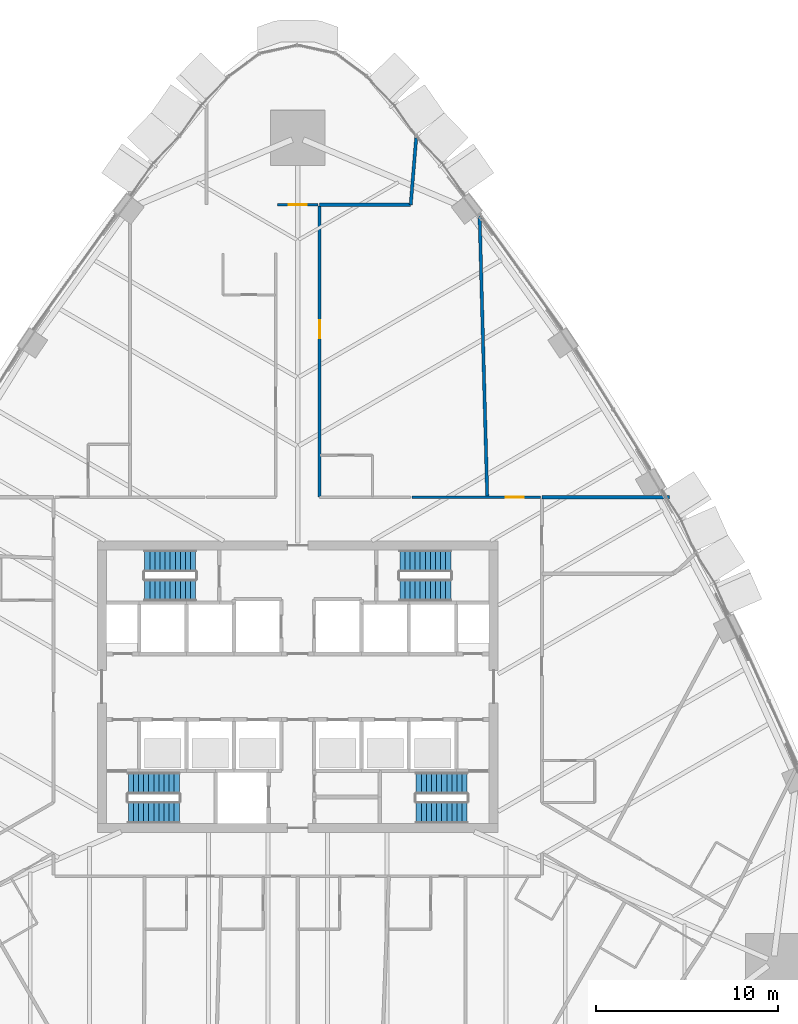
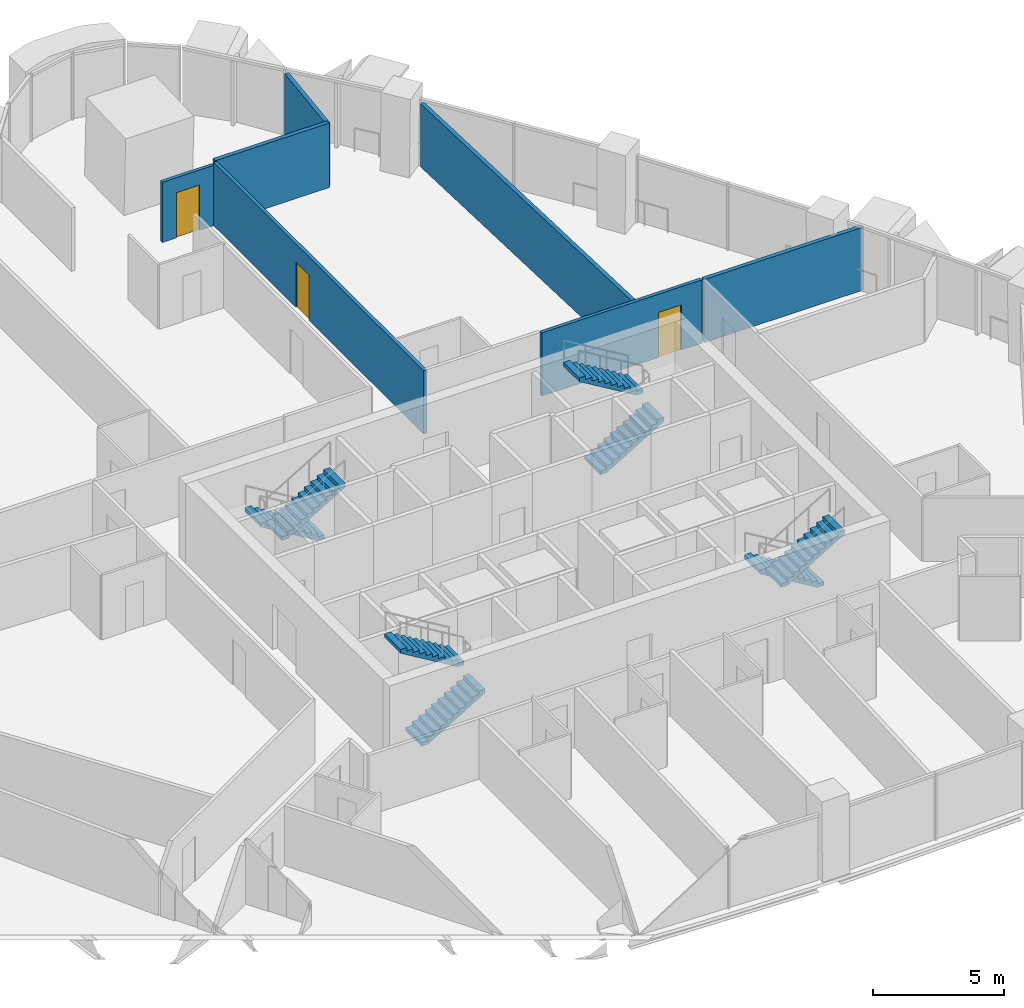
# One storey, part 14 of 18: 8 stair flights, 7 walls, 3 doors, 3 openings, 4 elements without a shape of their own.
"""IFC4 building model written with IfcOpenShell, lengths in metres."""

import ifcopenshell
import ifcopenshell.guid

model = None  # the IFC model being written
_history = None  # IfcOwnerHistory: only IFC2X3 demands one
_inside = {}  # id of a spatial element -> (the spatial element, [elements in it])
_under = {}  # id of a project, library or spatial element -> (it, [spatial elements below it])
_declared = {}  # id of a project -> (the project, [libraries it declares])
_typed = {}  # id of a type object -> (the type object, [elements of that type])
_made_of = {}  # id of a material, layer set ... -> (it, [elements and type objects made of it])


def new_model(schema):
    """Start an empty IFC model of exactly this schema.

    Asked for "IFC4X3", IfcOpenShell would pick the latest addendum, in which some entities
    have other attributes; the version numbers below select the first issue.
    IFC2X3 requires an IfcOwnerHistory on every rooted entity: one is made here for all.
    """
    global model, _history
    if schema == "IFC4X3":
        model = ifcopenshell.file(schema_version=(4, 3, 0, 0))
    else:
        model = ifcopenshell.file(schema=schema)
    _inside.clear()
    _under.clear()
    _declared.clear()
    _typed.clear()
    _made_of.clear()
    _history = None
    if model.schema == "IFC2X3":
        org = make("IfcOrganization", Name="unknown")
        user = make(
            "IfcPersonAndOrganization",
            ThePerson=make("IfcPerson", FamilyName="unknown"),
            TheOrganization=org,
        )
        app = make(
            "IfcApplication",
            ApplicationDeveloper=org,
            Version="unknown",
            ApplicationFullName="unknown",
            ApplicationIdentifier="unknown",
        )
        _history = make(
            "IfcOwnerHistory",
            OwningUser=user,
            OwningApplication=app,
            ChangeAction="ADDED",
            CreationDate=0,
        )
    return model


def make(cls, **values):
    """One entity of the class cls with the attributes given. An attribute that is None is left unset."""
    return model.create_entity(
        cls, **{name: value for name, value in values.items() if value is not None}
    )


def rooted(cls, **values):
    """An entity with a GlobalId (a new one), such as an element, a storey or a relation."""
    return make(cls, GlobalId=ifcopenshell.guid.new(), OwnerHistory=_history, **values)


def si_unit(unit_type, name, prefix=None):
    """IfcSIUnit, for example si_unit("LENGTHUNIT", "METRE", prefix="MILLI")."""
    return make("IfcSIUnit", UnitType=unit_type, Prefix=prefix, Name=name)


def assignment(units):
    """IfcUnitAssignment: the units of a project."""
    return None if units is None else make("IfcUnitAssignment", Units=units)


def point(xyz):
    """IfcCartesianPoint."""
    return None if xyz is None else make("IfcCartesianPoint", Coordinates=xyz)


def direction(xyz):
    """IfcDirection."""
    return None if xyz is None else make("IfcDirection", DirectionRatios=xyz)


def frame(location, z_axis=None, x_axis=None):
    """IfcAxis2Placement3D, a coordinate frame: its origin and axes. An axis left out is left unset."""
    return make(
        "IfcAxis2Placement3D",
        Location=point(location),
        Axis=direction(z_axis),
        RefDirection=direction(x_axis),
    )


def frame_2d(location, x_axis=None):
    """IfcAxis2Placement2D, a coordinate frame in the plane: its origin and x axis."""
    return make(
        "IfcAxis2Placement2D", Location=point(location), RefDirection=direction(x_axis)
    )


def origin():
    """The frame at (0, 0, 0) with its axes left unset."""
    return frame((0.0, 0.0, 0.0))


def place(relative_to, where):
    """IfcLocalPlacement: puts the frame where relative to a parent placement (None: the world)."""
    return make(
        "IfcLocalPlacement", PlacementRelTo=relative_to, RelativePlacement=where
    )


def context(
    kind, dimensions, precision=None, world=None, true_north=None, identifier=None
):
    """IfcGeometricRepresentationContext, for example the 3D "Model" context."""
    return make(
        "IfcGeometricRepresentationContext",
        ContextIdentifier=identifier,
        ContextType=kind,
        CoordinateSpaceDimension=dimensions,
        Precision=precision,
        WorldCoordinateSystem=world,
        TrueNorth=true_north,
    )


def subcontext(parent, identifier, kind, view, scale=None):
    """IfcGeometricRepresentationSubContext, for example "Body" below "Model"."""
    return make(
        "IfcGeometricRepresentationSubContext",
        ContextIdentifier=identifier,
        ContextType=kind,
        ParentContext=parent,
        TargetScale=scale,
        TargetView=view,
    )


def project(units=None, contexts=None):
    """IfcProject with its units and contexts."""
    return rooted(
        "IfcProject",
        Name="project",
        RepresentationContexts=contexts,
        UnitsInContext=assignment(units),
    )


def spatial(cls, under=None, at=None, **own):
    """A site, building, storey or space (cls), placed at a placement, below another one or the project."""
    s = rooted(cls, ObjectPlacement=at, **own)
    if under is not None:
        _under.setdefault(under.id(), (under, []))[1].append(s)
    return s


def polyline(points):
    """IfcPolyline through the points."""
    return make("IfcPolyline", Points=[point(p) for p in points])


def profile(cls, at=None, kind="AREA", **sizes):
    """A parametric profile (cls). Its sizes go by their IFC names, for example OverallWidth=200.0."""
    return make(cls, ProfileType=kind, Position=at, **sizes)


def rectangle(**sizes):
    """IfcRectangleProfileDef."""
    return profile("IfcRectangleProfileDef", **sizes)


def outline(outer, holes=None, kind="AREA"):
    """IfcArbitraryClosedProfileDef: a profile drawn as a closed curve; with holes, ...WithVoids."""
    if holes is None:
        return make("IfcArbitraryClosedProfileDef", ProfileType=kind, OuterCurve=outer)
    return make(
        "IfcArbitraryProfileDefWithVoids",
        ProfileType=kind,
        OuterCurve=outer,
        InnerCurves=holes,
    )


def extrude(swept, where, along, depth):
    """IfcExtrudedAreaSolid: the profile swept, set in the frame where, extruded along a direction by depth."""
    return make(
        "IfcExtrudedAreaSolid",
        SweptArea=swept,
        Position=where,
        ExtrudedDirection=direction(along),
        Depth=depth,
    )


def shape(context_of_items, identifier, shape_type, items):
    """IfcShapeRepresentation: the items that make up one representation, for example the "Body"."""
    return make(
        "IfcShapeRepresentation",
        ContextOfItems=context_of_items,
        RepresentationIdentifier=identifier,
        RepresentationType=shape_type,
        Items=items,
    )


def material(Name=None, Category=None):
    """IfcMaterial."""
    return make("IfcMaterial", Name=Name, Category=Category)


def layer(
    of_material, thickness, ventilated=None, Name=None, Category=None, Priority=None
):
    """IfcMaterialLayer: one layer of a wall or slab, of a material (None: an air gap)."""
    return make(
        "IfcMaterialLayer",
        Material=of_material,
        LayerThickness=thickness,
        IsVentilated=ventilated,
        Name=Name,
        Category=Category,
        Priority=Priority,
    )


def layer_set(layers, Name=None):
    """IfcMaterialLayerSet."""
    return make("IfcMaterialLayerSet", MaterialLayers=layers, LayerSetName=Name)


def made_of(thing, what):
    """Note that an element or type object is made of a material, layer set ...; save() writes the relation."""
    if what is not None:
        _made_of.setdefault(what.id(), (what, []))[1].append(thing)
    return thing


def type_object(cls, material=None, **own):
    """A type object (cls), such as IfcWallType, which elements share."""
    return made_of(rooted(cls, **own), material)


def element(
    cls,
    number,
    at=None,
    inside=None,
    cuts=None,
    type_object=None,
    material=None,
    context=None,
    identifier="Body",
    shape_type=None,
    held_by="IfcProductDefinitionShape",
    body=None,
    shapes=None,
    **own,
):
    """One element of the class cls, such as IfcWall. Its Tag is "e" and its number.

    at: its placement. inside: the storey or other place that contains it. cuts: it is an
    opening in that element (IfcRelVoidsElement). A single representation is given by context,
    identifier, shape_type and body (its items); several are given by shapes. held_by: the class
    of the entity that holds the representations. save() writes the other relations.
    """
    e = rooted(cls, Tag="e%d" % number, ObjectPlacement=at, **own)
    if body is not None:
        shapes = [shape(context, identifier, shape_type, body)]
    if shapes is not None:
        e.Representation = make(held_by, Representations=shapes)
    if inside is not None:
        _inside.setdefault(inside.id(), (inside, []))[1].append(e)
    if cuts is not None:
        rooted(
            "IfcRelVoidsElement", RelatingBuildingElement=cuts, RelatedOpeningElement=e
        )
    if type_object is not None:
        _typed.setdefault(type_object.id(), (type_object, []))[1].append(e)
    return made_of(e, material)


def fill(opening, filler):
    """IfcRelFillsElement: the door or window that sits in an opening."""
    return rooted(
        "IfcRelFillsElement",
        RelatingOpeningElement=opening,
        RelatedBuildingElement=filler,
    )


def aggregate(whole, parts):
    """IfcRelAggregates: a whole, such as a stair, and the parts it consists of."""
    return rooted("IfcRelAggregates", RelatingObject=whole, RelatedObjects=parts)


def save(model, path):
    """Write the relations noted so far, then the file.

    IfcRelAggregates (storeys below a building ...), IfcRelContainedInSpatialStructure (elements
    in a storey), IfcRelDefinesByType, IfcRelAssociatesMaterial and IfcRelDeclares: one each for
    every whole, place, type object, material and project.
    """
    for whole, parts in _under.values():
        aggregate(whole, parts)
    for where, things in _inside.values():
        rooted(
            "IfcRelContainedInSpatialStructure",
            RelatedElements=things,
            RelatingStructure=where,
        )
    for kind, things in _typed.values():
        rooted("IfcRelDefinesByType", RelatedObjects=things, RelatingType=kind)
    for what, things in _made_of.values():
        rooted("IfcRelAssociatesMaterial", RelatedObjects=things, RelatingMaterial=what)
    for by, libraries in _declared.values():
        rooted("IfcRelDeclares", RelatingContext=by, RelatedDefinitions=libraries)
    model.write(path)


model = new_model("IFC4")

# Units and contexts
model_context = context("Model", 3, precision=1e-05, world=origin(), true_north=direction((0.0, 1.0)))
body_context = subcontext(model_context, "Body", "Model", "MODEL_VIEW")
ifc_project = project(units=[si_unit("LENGTHUNIT", "METRE"), si_unit("AREAUNIT", "SQUARE_METRE"), si_unit("VOLUMEUNIT", "CUBIC_METRE"), si_unit("PLANEANGLEUNIT", "RADIAN"), si_unit("MASSUNIT", "GRAM", prefix="KILO")], contexts=[model_context])

# Site, building, storey
site_placement = place(None, origin())
site = spatial("IfcSite", under=ifc_project, at=site_placement, CompositionType="ELEMENT")
building_placement = place(site_placement, origin())
building = spatial("IfcBuilding", under=site, at=building_placement, Name="Sierra Prisma Convention Tower", CompositionType="ELEMENT")
storey_placement = place(building_placement, frame((0.0, 0.0, 85.0)))
storey = spatial("IfcBuildingStorey", under=building, at=storey_placement, Name="L17", CompositionType="ELEMENT", Elevation=85.0)

# Wall, opening, door
ifc_material_1 = material(Name="Gypsum board partition", Category="gypsum")
ifc_layer_1 = layer(ifc_material_1, 0.14990234375)
ifc_layer_set_1 = layer_set([ifc_layer_1], Name="Corridor wall 150 gypsum EI 60")
wall_type_1 = type_object("IfcWallType", Name="Corridor wall 150 gypsum EI 60", PredefinedType="PARTITIONING", material=ifc_layer_set_1)
wall_1_placement = place(storey_placement, frame((1.1201171875, 26.4501953125, 0.0), z_axis=(0.0, 0.0, 1.0), x_axis=(-1.0, 0.0, 0.0)))
wall_1 = element("IfcWall", 1, at=wall_1_placement, inside=storey, type_object=wall_type_1, Name="Partition L17 corr 10", PredefinedType="PARTITIONING", context=body_context, shape_type="SweptSolid", body=[
    extrude(rectangle(XDim=2.240234375, YDim=0.14990234375, at=frame_2d((1.1201171875, 0.0))), origin(), (0.0, 0.0, 1.0), 2.797119140625),
])
opening_1_placement = place(wall_1_placement, frame((0.6201171875, 0.0, 0.0)))
opening_1 = element("IfcOpeningElement", 2, at=opening_1_placement, cuts=wall_1, Name="Opening L17-D040", PredefinedType="OPENING", context=body_context, shape_type="SweptSolid", body=[
    extrude(rectangle(XDim=1.0, YDim=2.10009765625, at=frame_2d((0.5, 1.050048828125))), frame((0.0, 0.074951171875, 0.0), z_axis=(0.0, -1.0, 0.0), x_axis=(1.0, 0.0, 0.0)), (0.0, 0.0, 1.0), 0.14990234375),
])
ifc_material_2 = material(Name="Steel fire door leaf", Category="steel")
door_type = type_object("IfcDoorType", Name="Door 1000x2100 FD30S", OperationType="SINGLE_SWING_LEFT", PredefinedType="DOOR", material=ifc_material_2)
door_1_placement = place(opening_1_placement, origin())
door_1 = element("IfcDoor", 3, at=door_1_placement, inside=storey, type_object=door_type, Name="Door L17 7", OperationType="SINGLE_SWING_LEFT", OverallHeight=2.10009765625, OverallWidth=1.0, PredefinedType="DOOR", context=body_context, shape_type="SweptSolid", body=[
    extrude(rectangle(XDim=1.0, YDim=2.10009765625, at=frame_2d((0.5, 1.050048828125))), frame((0.0, 0.02490234375, 0.0), z_axis=(0.0, -1.0, 0.0), x_axis=(1.0, 0.0, 0.0)), (0.0, 0.0, 1.0), 0.050048828125),
])
fill(opening_1, door_1)

wall_2_placement = place(storey_placement, frame((1.199951171875, 10.39990234375, 0.0), z_axis=(0.0, 0.0, 1.0), x_axis=(0.0, 1.0, 0.0)))
wall_2 = element("IfcWall", 4, at=wall_2_placement, inside=storey, type_object=wall_type_1, Name="Partition L17 corr 12", PredefinedType="PARTITIONING", context=body_context, shape_type="SweptSolid", body=[
    extrude(rectangle(XDim=15.97021484375, YDim=0.14990234375, at=frame_2d((7.985107421875, 0.0))), origin(), (0.0, 0.0, 1.0), 2.947021484375),
])
opening_2_placement = place(wall_2_placement, frame((8.72509765625, 0.0, 0.0)))
opening_2 = element("IfcOpeningElement", 5, at=opening_2_placement, cuts=wall_2, Name="Opening L17-D039", PredefinedType="OPENING", context=body_context, shape_type="SweptSolid", body=[
    extrude(rectangle(XDim=1.0, YDim=2.10009765625, at=frame_2d((0.5, 1.050048828125))), frame((0.0, 0.074951171875, 0.0), z_axis=(0.0, -1.0, 0.0), x_axis=(1.0, 0.0, 0.0)), (0.0, 0.0, 1.0), 0.14990234375),
])
door_2_placement = place(opening_2_placement, origin())
door_2 = element("IfcDoor", 6, at=door_2_placement, inside=storey, type_object=door_type, Name="Door L17 5", OperationType="SINGLE_SWING_RIGHT", OverallHeight=2.10009765625, OverallWidth=1.0, PredefinedType="DOOR", context=body_context, shape_type="SweptSolid", body=[
    extrude(rectangle(XDim=1.0, YDim=2.10009765625, at=frame_2d((0.5, 1.050048828125))), frame((0.0, 0.02490234375, 0.0), z_axis=(0.0, -1.0, 0.0), x_axis=(1.0, 0.0, 0.0)), (0.0, 0.0, 1.0), 0.050048828125),
])
fill(opening_2, door_2)

wall_3_placement = place(storey_placement, frame((13.320068359375, 10.39990234375, 0.0), z_axis=(0.0, 0.0, 1.0), x_axis=(-1.0, 0.0, 0.0)))
wall_3 = element("IfcWall", 7, at=wall_3_placement, inside=storey, type_object=wall_type_1, Name="Partition L17 corr 13", PredefinedType="PARTITIONING", context=body_context, shape_type="SweptSolid", body=[
    extrude(rectangle(XDim=7.0400390625, YDim=0.14990234375, at=frame_2d((3.52001953125, 0.0))), origin(), (0.0, 0.0, 1.0), 2.947021484375),
])
opening_3_placement = place(wall_3_placement, frame((0.909912109375, 0.0, 0.0)))
opening_3 = element("IfcOpeningElement", 8, at=opening_3_placement, cuts=wall_3, Name="Opening L17-D038", PredefinedType="OPENING", context=body_context, shape_type="SweptSolid", body=[
    extrude(rectangle(XDim=1.0, YDim=2.10009765625, at=frame_2d((0.5, 1.050048828125))), frame((0.0, 0.074951171875, 0.0), z_axis=(0.0, -1.0, 0.0), x_axis=(1.0, 0.0, 0.0)), (0.0, 0.0, 1.0), 0.14990234375),
])
door_3_placement = place(opening_3_placement, origin())
door_3 = element("IfcDoor", 9, at=door_3_placement, inside=storey, type_object=door_type, Name="Door L17 4", OperationType="SINGLE_SWING_LEFT", OverallHeight=2.10009765625, OverallWidth=1.0, PredefinedType="DOOR", context=body_context, shape_type="SweptSolid", body=[
    extrude(rectangle(XDim=1.0, YDim=2.10009765625, at=frame_2d((0.5, 1.050048828125))), frame((0.0, 0.02490234375, 0.0), z_axis=(0.0, -1.0, 0.0), x_axis=(1.0, 0.0, 0.0)), (0.0, 0.0, 1.0), 0.050048828125),
])
fill(opening_3, door_3)

# Walls
ifc_material_3 = material(Name="Acoustic gypsum board partition", Category="gypsum")
ifc_layer_2 = layer(ifc_material_3, 0.175048828125)
ifc_layer_set_2 = layer_set([ifc_layer_2], Name="Guest room party wall 175 acoustic EI 60")
wall_type_2 = type_object("IfcWallType", Name="Guest room party wall 175 acoustic EI 60", PredefinedType="PARTITIONING", material=ifc_layer_set_2)
wall_4_placement = place(storey_placement, frame((1.199951171875, 26.4501953125, 0.0), z_axis=(0.0, 0.0, 1.0), x_axis=(1.0, 0.0, 0.0)))
element("IfcWall", 10, at=wall_4_placement, inside=storey, type_object=wall_type_2, Name="Partition L17 hparty 13", PredefinedType="PARTITIONING", context=body_context, shape_type="SweptSolid", body=[
    extrude(rectangle(XDim=5.0, YDim=0.175048828125, at=frame_2d((2.5, 0.0))), origin(), (0.0, 0.0, 1.0), 3.0),
])
wall_5_placement = place(storey_placement, frame((6.199951171875, 26.4501953125, 0.0), z_axis=(0.0, 0.0, 1.0), x_axis=(0.081641442495, 0.996661765529, 0.0)))
element("IfcWall", 11, at=wall_5_placement, inside=storey, type_object=wall_type_2, Name="Partition L17 hparty 14", PredefinedType="PARTITIONING", context=body_context, shape_type="SweptSolid", body=[
    extrude(rectangle(XDim=3.68408203125, YDim=0.175048828125, at=frame_2d((1.842041015625, 0.0))), origin(), (0.0, 0.0, 1.0), 2.93408203125),
])
wall_6_placement = place(storey_placement, frame((9.980712890625, 25.830810546875, 0.0), z_axis=(0.0, 0.0, 1.0), x_axis=(0.027155554223, -0.999631219938, 0.0)))
element("IfcWall", 12, at=wall_6_placement, inside=storey, type_object=wall_type_2, Name="Partition L17 hparty 17", PredefinedType="PARTITIONING", context=body_context, shape_type="SweptSolid", body=[
    extrude(rectangle(XDim=15.4365234375, YDim=0.175048828125, at=frame_2d((7.71826171875, 0.0))), origin(), (0.0, 0.0, 1.0), 2.93408203125),
])
wall_7_placement = place(storey_placement, frame((13.39990234375, 10.39990234375, 0.0), z_axis=(0.0, 0.0, 1.0), x_axis=(1.0, 0.0, 0.0)))
element("IfcWall", 13, at=wall_7_placement, inside=storey, type_object=wall_type_2, Name="Partition L17 hparty 22", PredefinedType="PARTITIONING", context=body_context, shape_type="SweptSolid", body=[
    extrude(rectangle(XDim=7.002197265625, YDim=0.175048828125, at=frame_2d((3.5009765625, 0.0))), origin(), (0.0, 0.0, 1.0), 2.93408203125),
])

# Stair, stair flights
ifc_material_4 = material(Name="Concrete C30/37", Category="concrete")
stair_type = type_object("IfcStairType", Name="Stair dog-leg 1200 RC", PredefinedType="HALF_TURN_STAIR", material=ifc_material_4)
stair_1_placement = place(storey_placement, origin())
stair_1 = element("IfcStair", 14, at=stair_1_placement, inside=storey, type_object=stair_type, Name="L17 S1", PredefinedType="HALF_TURN_STAIR")
ifc_material_5 = material(Name="Concrete C30/37", Category="concrete")
stair_flight_type = type_object("IfcStairFlightType", Name="Stair flight RC 1200", PredefinedType="STRAIGHT", material=ifc_material_5)
stair_flight_1_placement = place(storey_placement, frame((-9.300048828125, -6.89990234375, 0.0), z_axis=(0.0, 0.0, 1.0), x_axis=(1.0, 0.0, 0.0)))
stair_flight_1 = element("IfcStairFlight", 15, at=stair_flight_1_placement, type_object=stair_flight_type, Name="S1 flight 1", NumberOfRisers=11, NumberOfTreads=10, PredefinedType="STRAIGHT", RiserHeight=0.168181818, TreadLength=0.28, context=body_context, shape_type="SweptSolid", body=[
    extrude(outline(polyline([(0.0, 0.0), (0.0, 0.168212890625), (0.280029296875, 0.168212890625), (0.280029296875, 0.33642578125), (0.56005859375, 0.33642578125), (0.56005859375, 0.504638671875), (0.840087890625, 0.504638671875), (0.840087890625, 0.672607421875), (1.1201171875, 0.672607421875), (1.1201171875, 0.8408203125), (1.39990234375, 0.8408203125), (1.39990234375, 1.009033203125), (1.679931640625, 1.009033203125), (1.679931640625, 1.17724609375), (1.9599609375, 1.17724609375), (1.9599609375, 1.345458984375), (2.239990234375, 1.345458984375), (2.239990234375, 1.513671875), (2.52001953125, 1.513671875), (2.52001953125, 1.681884765625), (2.800048828125, 1.681884765625), (2.800048828125, 1.85009765625), (2.800048828125, 1.5068359375), (0.291015625, 0.0), (0.0, 0.0)])), frame((0.0, 0.60009765625, 0.0), z_axis=(0.0, -1.0, 0.0), x_axis=(1.0, 0.0, 0.0)), (0.0, 0.0, 1.0), 1.199951171875),
])
stair_flight_2_placement = place(storey_placement, frame((-6.5, -5.300048828125, 1.85009765625), z_axis=(0.0, 0.0, 1.0), x_axis=(-1.0, 0.0, 0.0)))
stair_flight_2 = element("IfcStairFlight", 16, at=stair_flight_2_placement, type_object=stair_flight_type, Name="S1 flight 2", NumberOfRisers=11, NumberOfTreads=10, PredefinedType="STRAIGHT", RiserHeight=0.168181818, TreadLength=0.28, context=body_context, shape_type="SweptSolid", body=[
    extrude(outline(polyline([(0.0, 0.0), (0.0, 0.168212890625), (0.280029296875, 0.168212890625), (0.280029296875, 0.33642578125), (0.56005859375, 0.33642578125), (0.56005859375, 0.504638671875), (0.840087890625, 0.504638671875), (0.840087890625, 0.672607421875), (1.1201171875, 0.672607421875), (1.1201171875, 0.8408203125), (1.39990234375, 0.8408203125), (1.39990234375, 1.009033203125), (1.679931640625, 1.009033203125), (1.679931640625, 1.17724609375), (1.9599609375, 1.17724609375), (1.9599609375, 1.345458984375), (2.239990234375, 1.345458984375), (2.239990234375, 1.513671875), (2.52001953125, 1.513671875), (2.52001953125, 1.681884765625), (2.800048828125, 1.681884765625), (2.800048828125, 1.85009765625), (2.800048828125, 1.5068359375), (0.291015625, 0.0), (0.0, 0.0)])), frame((0.0, 0.60009765625, 0.0), z_axis=(0.0, -1.0, 0.0), x_axis=(1.0, 0.0, 0.0)), (0.0, 0.0, 1.0), 1.199951171875),
])
aggregate(stair_1, [stair_flight_1, stair_flight_2])

stair_2_placement = place(storey_placement, origin())
stair_2 = element("IfcStair", 17, at=stair_2_placement, inside=storey, type_object=stair_type, Name="L17 S2", PredefinedType="HALF_TURN_STAIR")
stair_flight_3_placement = place(storey_placement, frame((9.300048828125, -5.300048828125, 0.0), z_axis=(0.0, 0.0, 1.0), x_axis=(-1.0, 0.0, 0.0)))
stair_flight_3 = element("IfcStairFlight", 18, at=stair_flight_3_placement, type_object=stair_flight_type, Name="S2 flight 1", NumberOfRisers=11, NumberOfTreads=10, PredefinedType="STRAIGHT", RiserHeight=0.168181818, TreadLength=0.28, context=body_context, shape_type="SweptSolid", body=[
    extrude(outline(polyline([(0.0, 0.0), (0.0, 0.168212890625), (0.280029296875, 0.168212890625), (0.280029296875, 0.33642578125), (0.56005859375, 0.33642578125), (0.56005859375, 0.504638671875), (0.840087890625, 0.504638671875), (0.840087890625, 0.672607421875), (1.1201171875, 0.672607421875), (1.1201171875, 0.8408203125), (1.39990234375, 0.8408203125), (1.39990234375, 1.009033203125), (1.679931640625, 1.009033203125), (1.679931640625, 1.17724609375), (1.9599609375, 1.17724609375), (1.9599609375, 1.345458984375), (2.239990234375, 1.345458984375), (2.239990234375, 1.513671875), (2.52001953125, 1.513671875), (2.52001953125, 1.681884765625), (2.800048828125, 1.681884765625), (2.800048828125, 1.85009765625), (2.800048828125, 1.5068359375), (0.291015625, 0.0), (0.0, 0.0)])), frame((0.0, 0.60009765625, 0.0), z_axis=(0.0, -1.0, 0.0), x_axis=(1.0, 0.0, 0.0)), (0.0, 0.0, 1.0), 1.199951171875),
])
stair_flight_4_placement = place(storey_placement, frame((6.5, -6.89990234375, 1.85009765625), z_axis=(0.0, 0.0, 1.0), x_axis=(1.0, 0.0, 0.0)))
stair_flight_4 = element("IfcStairFlight", 19, at=stair_flight_4_placement, type_object=stair_flight_type, Name="S2 flight 2", NumberOfRisers=11, NumberOfTreads=10, PredefinedType="STRAIGHT", RiserHeight=0.168181818, TreadLength=0.28, context=body_context, shape_type="SweptSolid", body=[
    extrude(outline(polyline([(0.0, 0.0), (0.0, 0.168212890625), (0.280029296875, 0.168212890625), (0.280029296875, 0.33642578125), (0.56005859375, 0.33642578125), (0.56005859375, 0.504638671875), (0.840087890625, 0.504638671875), (0.840087890625, 0.672607421875), (1.1201171875, 0.672607421875), (1.1201171875, 0.8408203125), (1.39990234375, 0.8408203125), (1.39990234375, 1.009033203125), (1.679931640625, 1.009033203125), (1.679931640625, 1.17724609375), (1.9599609375, 1.17724609375), (1.9599609375, 1.345458984375), (2.239990234375, 1.345458984375), (2.239990234375, 1.513671875), (2.52001953125, 1.513671875), (2.52001953125, 1.681884765625), (2.800048828125, 1.681884765625), (2.800048828125, 1.85009765625), (2.800048828125, 1.5068359375), (0.291015625, 0.0), (0.0, 0.0)])), frame((0.0, 0.60009765625, 0.0), z_axis=(0.0, -1.0, 0.0), x_axis=(1.0, 0.0, 0.0)), (0.0, 0.0, 1.0), 1.199951171875),
])
aggregate(stair_2, [stair_flight_3, stair_flight_4])

stair_3_placement = place(storey_placement, origin())
stair_3 = element("IfcStair", 20, at=stair_3_placement, inside=storey, type_object=stair_type, Name="L17 S3", PredefinedType="HALF_TURN_STAIR")
stair_flight_5_placement = place(storey_placement, frame((-5.60009765625, 6.89990234375, 0.0), z_axis=(0.0, 0.0, 1.0), x_axis=(-1.0, 0.0, 0.0)))
stair_flight_5 = element("IfcStairFlight", 21, at=stair_flight_5_placement, type_object=stair_flight_type, Name="S3 flight 1", NumberOfRisers=11, NumberOfTreads=10, PredefinedType="STRAIGHT", RiserHeight=0.168181818, TreadLength=0.28, context=body_context, shape_type="SweptSolid", body=[
    extrude(outline(polyline([(0.0, 0.0), (0.0, 0.168212890625), (0.280029296875, 0.168212890625), (0.280029296875, 0.33642578125), (0.56005859375, 0.33642578125), (0.56005859375, 0.504638671875), (0.840087890625, 0.504638671875), (0.840087890625, 0.672607421875), (1.1201171875, 0.672607421875), (1.1201171875, 0.8408203125), (1.39990234375, 0.8408203125), (1.39990234375, 1.009033203125), (1.679931640625, 1.009033203125), (1.679931640625, 1.17724609375), (1.9599609375, 1.17724609375), (1.9599609375, 1.345458984375), (2.239990234375, 1.345458984375), (2.239990234375, 1.513671875), (2.52001953125, 1.513671875), (2.52001953125, 1.681884765625), (2.800048828125, 1.681884765625), (2.800048828125, 1.85009765625), (2.800048828125, 1.5068359375), (0.291015625, 0.0), (0.0, 0.0)])), frame((0.0, 0.60009765625, 0.0), z_axis=(0.0, -1.0, 0.0), x_axis=(1.0, 0.0, 0.0)), (0.0, 0.0, 1.0), 1.199951171875),
])
stair_flight_6_placement = place(storey_placement, frame((-8.39990234375, 5.300048828125, 1.85009765625), z_axis=(0.0, 0.0, 1.0), x_axis=(1.0, 0.0, 0.0)))
stair_flight_6 = element("IfcStairFlight", 22, at=stair_flight_6_placement, type_object=stair_flight_type, Name="S3 flight 2", NumberOfRisers=11, NumberOfTreads=10, PredefinedType="STRAIGHT", RiserHeight=0.168181818, TreadLength=0.28, context=body_context, shape_type="SweptSolid", body=[
    extrude(outline(polyline([(0.0, 0.0), (0.0, 0.168212890625), (0.280029296875, 0.168212890625), (0.280029296875, 0.33642578125), (0.56005859375, 0.33642578125), (0.56005859375, 0.504638671875), (0.840087890625, 0.504638671875), (0.840087890625, 0.672607421875), (1.1201171875, 0.672607421875), (1.1201171875, 0.8408203125), (1.39990234375, 0.8408203125), (1.39990234375, 1.009033203125), (1.679931640625, 1.009033203125), (1.679931640625, 1.17724609375), (1.9599609375, 1.17724609375), (1.9599609375, 1.345458984375), (2.239990234375, 1.345458984375), (2.239990234375, 1.513671875), (2.52001953125, 1.513671875), (2.52001953125, 1.681884765625), (2.800048828125, 1.681884765625), (2.800048828125, 1.85009765625), (2.800048828125, 1.5068359375), (0.291015625, 0.0), (0.0, 0.0)])), frame((0.0, 0.60009765625, 0.0), z_axis=(0.0, -1.0, 0.0), x_axis=(1.0, 0.0, 0.0)), (0.0, 0.0, 1.0), 1.199951171875),
])
aggregate(stair_3, [stair_flight_5, stair_flight_6])

stair_4_placement = place(storey_placement, origin())
stair_4 = element("IfcStair", 23, at=stair_4_placement, inside=storey, type_object=stair_type, Name="L17 S4", PredefinedType="HALF_TURN_STAIR")
stair_flight_7_placement = place(storey_placement, frame((5.60009765625, 5.300048828125, 0.0), z_axis=(0.0, 0.0, 1.0), x_axis=(1.0, 0.0, 0.0)))
stair_flight_7 = element("IfcStairFlight", 24, at=stair_flight_7_placement, type_object=stair_flight_type, Name="S4 flight 1", NumberOfRisers=11, NumberOfTreads=10, PredefinedType="STRAIGHT", RiserHeight=0.168181818, TreadLength=0.28, context=body_context, shape_type="SweptSolid", body=[
    extrude(outline(polyline([(0.0, 0.0), (0.0, 0.168212890625), (0.280029296875, 0.168212890625), (0.280029296875, 0.33642578125), (0.56005859375, 0.33642578125), (0.56005859375, 0.504638671875), (0.840087890625, 0.504638671875), (0.840087890625, 0.672607421875), (1.1201171875, 0.672607421875), (1.1201171875, 0.8408203125), (1.39990234375, 0.8408203125), (1.39990234375, 1.009033203125), (1.679931640625, 1.009033203125), (1.679931640625, 1.17724609375), (1.9599609375, 1.17724609375), (1.9599609375, 1.345458984375), (2.239990234375, 1.345458984375), (2.239990234375, 1.513671875), (2.52001953125, 1.513671875), (2.52001953125, 1.681884765625), (2.800048828125, 1.681884765625), (2.800048828125, 1.85009765625), (2.800048828125, 1.5068359375), (0.291015625, 0.0), (0.0, 0.0)])), frame((0.0, 0.60009765625, 0.0), z_axis=(0.0, -1.0, 0.0), x_axis=(1.0, 0.0, 0.0)), (0.0, 0.0, 1.0), 1.199951171875),
])
stair_flight_8_placement = place(storey_placement, frame((8.39990234375, 6.89990234375, 1.85009765625), z_axis=(0.0, 0.0, 1.0), x_axis=(-1.0, 0.0, 0.0)))
stair_flight_8 = element("IfcStairFlight", 25, at=stair_flight_8_placement, type_object=stair_flight_type, Name="S4 flight 2", NumberOfRisers=11, NumberOfTreads=10, PredefinedType="STRAIGHT", RiserHeight=0.168181818, TreadLength=0.28, context=body_context, shape_type="SweptSolid", body=[
    extrude(outline(polyline([(0.0, 0.0), (0.0, 0.168212890625), (0.280029296875, 0.168212890625), (0.280029296875, 0.33642578125), (0.56005859375, 0.33642578125), (0.56005859375, 0.504638671875), (0.840087890625, 0.504638671875), (0.840087890625, 0.672607421875), (1.1201171875, 0.672607421875), (1.1201171875, 0.8408203125), (1.39990234375, 0.8408203125), (1.39990234375, 1.009033203125), (1.679931640625, 1.009033203125), (1.679931640625, 1.17724609375), (1.9599609375, 1.17724609375), (1.9599609375, 1.345458984375), (2.239990234375, 1.345458984375), (2.239990234375, 1.513671875), (2.52001953125, 1.513671875), (2.52001953125, 1.681884765625), (2.800048828125, 1.681884765625), (2.800048828125, 1.85009765625), (2.800048828125, 1.5068359375), (0.291015625, 0.0), (0.0, 0.0)])), frame((0.0, 0.60009765625, 0.0), z_axis=(0.0, -1.0, 0.0), x_axis=(1.0, 0.0, 0.0)), (0.0, 0.0, 1.0), 1.199951171875),
])
aggregate(stair_4, [stair_flight_7, stair_flight_8])

save(model, "model.ifc")
